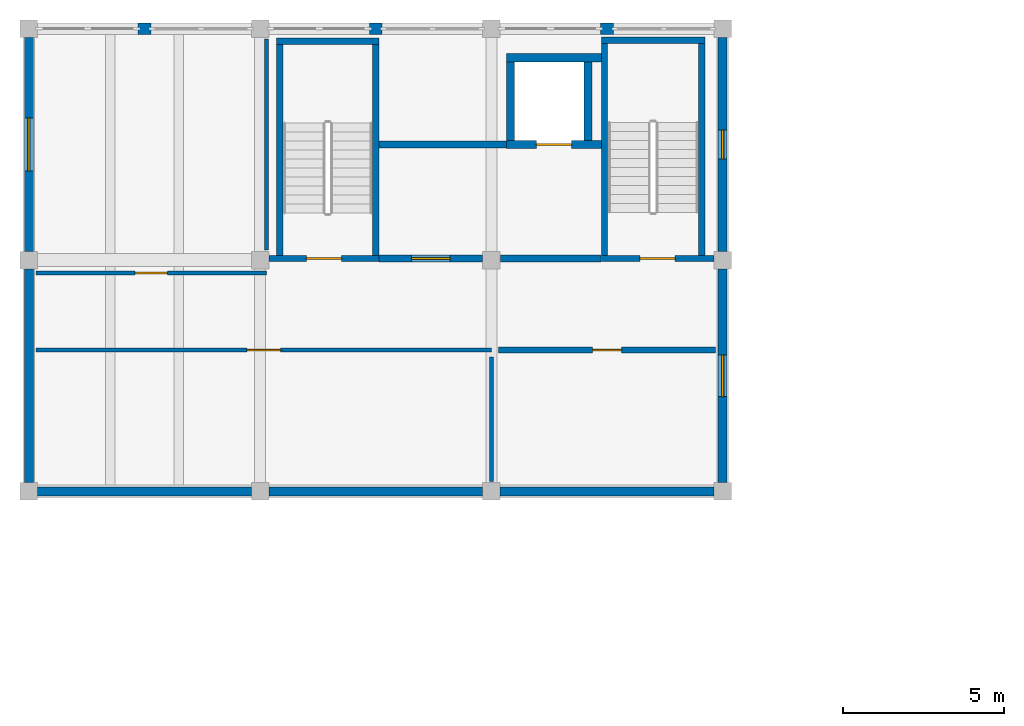
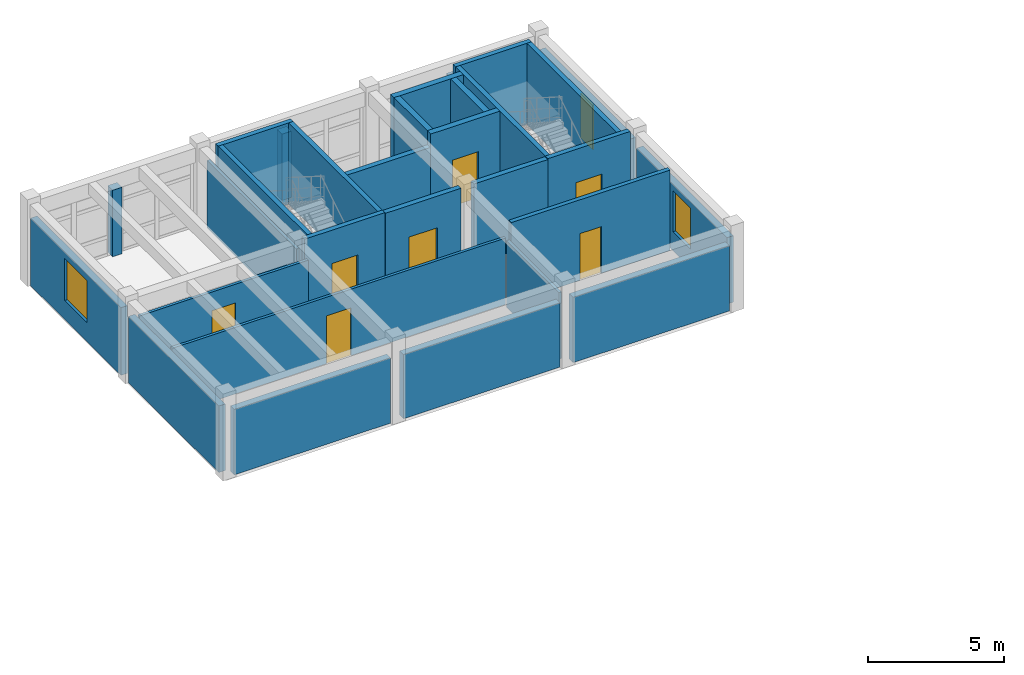
# One storey, part 18 of 22: 30 walls, 7 doors, 3 windows, 10 openings.
"""IFC4 building model written with IfcOpenShell, lengths in metres."""

from ifc_helpers import new_model, si_unit, direction, frame, frame_2d, origin, place, context, subcontext, project, spatial, rectangle, extrude, material, layer, layer_set, type_object, element, fill, save


model = new_model("IFC4")

# Units and contexts
model_context = context("Model", 3, precision=1e-05, world=origin(), true_north=direction((0.0, 1.0)))
body_context = subcontext(model_context, "Body", "Model", "MODEL_VIEW")
ifc_project = project(units=[si_unit("LENGTHUNIT", "METRE"), si_unit("AREAUNIT", "SQUARE_METRE"), si_unit("VOLUMEUNIT", "CUBIC_METRE"), si_unit("PLANEANGLEUNIT", "RADIAN"), si_unit("MASSUNIT", "GRAM", prefix="KILO")], contexts=[model_context])

# Site, building, storey
site_placement = place(None, origin())
site = spatial("IfcSite", under=ifc_project, at=site_placement, CompositionType="ELEMENT")
building_placement = place(site_placement, origin())
building = spatial("IfcBuilding", under=site, at=building_placement, Name="Koriwan Promenade Central Fire Station", CompositionType="ELEMENT")
storey_placement = place(building_placement, frame((0.0, 0.0, 17.39990234375)))
storey = spatial("IfcBuildingStorey", under=building, at=storey_placement, Name="L04", CompositionType="ELEMENT", Elevation=17.39990234375)

# Walls
ifc_material_1 = material(Name="Natural sillar sandstone ashlar", Category="masonry")
ifc_layer_1 = layer(ifc_material_1, 0.360107421875, Name="Natural sillar sandstone ashlar")
ifc_layer_set_1 = layer_set([ifc_layer_1], Name="Natural sillar sandstone ashlar")
wall_type_1 = type_object("IfcWallType", Name="ExtWall_SillarBase_360", PredefinedType="SOLIDWALL", material=ifc_layer_set_1)
for number, where, z_axis, x_axis, name in (
    (1, (97.39990234375, 115.199951171875, 0.0), (0.0, 0.0, 1.0), (-1.0, 0.0, 0.0), "V2 L04 sillar facade mullion pier 93"),
    (2, (90.199951171875, 115.199951171875, 0.0), (0.0, 0.0, 1.0), (-1.0, 0.0, 0.0), "V2 L04 sillar facade mullion pier 94"),
    (3, (83.0, 115.199951171875, 0.0), (0.0, 0.0, 1.0), (-1.0, 0.0, 0.0), "V2 L04 sillar facade mullion pier 95"),
):
    element("IfcWall", number, at=place(storey_placement, frame(where, z_axis=z_axis, x_axis=x_axis)), inside=storey, type_object=wall_type_1, Name=name, PredefinedType="SOLIDWALL", context=body_context, shape_type="SweptSolid", body=[
        extrude(rectangle(XDim=0.39990234375, YDim=0.360107421875, at=frame_2d((0.199951171875, 0.0))), origin(), (0.0, 0.0, 1.0), 2.989990234375),
    ])

# Wall, opening, window
ifc_material_2 = material(Name="Precast concrete C40/50", Category="concrete")
ifc_layer_2 = layer(ifc_material_2, 0.280029296875, Name="Precast concrete C40/50")
ifc_layer_set_2 = layer_set([ifc_layer_2], Name="Precast concrete C40/50")
wall_type_2 = type_object("IfcWallType", Name="ExtWall_Terracotta_280", PredefinedType="ELEMENTEDWALL", material=ifc_layer_set_2)
wall_1_placement = place(storey_placement, frame((100.800048828125, 101.074951171875, 0.0), z_axis=(0.0, 0.0, 1.0), x_axis=(0.0, 1.0, 0.0)))
wall_1 = element("IfcWall", 4, at=wall_1_placement, inside=storey, type_object=wall_type_2, Name="V2 L04 exterior wall 91", PredefinedType="ELEMENTEDWALL", context=body_context, shape_type="SweptSolid", body=[
    extrude(rectangle(XDim=6.650146484375, YDim=0.280029296875, at=frame_2d((3.3251953125, 0.0))), origin(), (0.0, 0.0, 1.0), 2.989990234375),
])
opening_1_placement = place(wall_1_placement, frame((2.675048828125, 0.0, 0.85009765625)))
opening_1 = element("IfcOpeningElement", 5, at=opening_1_placement, cuts=wall_1, Name="Opening W-10", PredefinedType="OPENING", context=body_context, shape_type="SweptSolid", body=[
    extrude(rectangle(XDim=1.300048828125, YDim=1.85009765625, at=frame_2d((0.64990234375, 0.925048828125))), frame((0.0, 0.15185546875, 0.0), z_axis=(0.0, -1.0, 0.0), x_axis=(1.0, 0.0, 0.0)), (0.0, 0.0, 1.0), 0.303955078125),
])
ifc_material_3 = material(Name="Solar-control low-E laminated double glazing", Category="glass")
window_type_1 = type_object("IfcWindowType", Name="Win_Drill_1300x1850", PartitioningType="SINGLE_PANEL", PredefinedType="WINDOW", material=ifc_material_3)
window_1_placement = place(opening_1_placement, origin())
window_1 = element("IfcWindow", 6, at=window_1_placement, inside=storey, type_object=window_type_1, Name="V2 L04 window 0040", OverallHeight=1.85009765625, OverallWidth=1.300048828125, PartitioningType="SINGLE_PANEL", PredefinedType="WINDOW", context=body_context, shape_type="SweptSolid", body=[
    extrude(rectangle(XDim=1.300048828125, YDim=1.85009765625, at=frame_2d((0.64990234375, 0.925048828125))), frame((0.0, 0.030029296875, 0.0), z_axis=(0.0, -1.0, 0.0), x_axis=(1.0, 0.0, 0.0)), (0.0, 0.0, 1.0), 0.06005859375),
])
fill(opening_1, window_1)

wall_2_placement = place(storey_placement, frame((100.800048828125, 108.27490234375, 0.0), z_axis=(0.0, 0.0, 1.0), x_axis=(0.0, 1.0, 0.0)))
wall_2 = element("IfcWall", 7, at=wall_2_placement, inside=storey, type_object=wall_type_2, Name="V2 L04 exterior wall 92", PredefinedType="ELEMENTEDWALL", context=body_context, shape_type="SweptSolid", body=[
    extrude(rectangle(XDim=6.650146484375, YDim=0.280029296875, at=frame_2d((3.3251953125, 0.0))), origin(), (0.0, 0.0, 1.0), 3.0400390625),
])
opening_2_placement = place(wall_2_placement, frame((2.875, 0.0, 0.800048828125)))
opening_2 = element("IfcOpeningElement", 8, at=opening_2_placement, cuts=wall_2, Name="Opening W-04", PredefinedType="OPENING", context=body_context, shape_type="SweptSolid", body=[
    extrude(rectangle(XDim=0.89990234375, YDim=2.0, at=frame_2d((0.449951171875, 1.0))), frame((0.0, 0.15185546875, 0.0), z_axis=(0.0, -1.0, 0.0), x_axis=(1.0, 0.0, 0.0)), (0.0, 0.0, 1.0), 0.303955078125),
])
window_type_2 = type_object("IfcWindowType", Name="Win_HQ_900x2000", PartitioningType="SINGLE_PANEL", PredefinedType="WINDOW", material=ifc_material_3)
window_2_placement = place(opening_2_placement, origin())
window_2 = element("IfcWindow", 9, at=window_2_placement, inside=storey, type_object=window_type_2, Name="V2 L04 window 0041", OverallHeight=2.0, OverallWidth=0.89990234375, PartitioningType="SINGLE_PANEL", PredefinedType="WINDOW", context=body_context, shape_type="SweptSolid", body=[
    extrude(rectangle(XDim=0.89990234375, YDim=2.0, at=frame_2d((0.449951171875, 1.0))), frame((0.0, 0.030029296875, 0.0), z_axis=(0.0, -1.0, 0.0), x_axis=(1.0, 0.0, 0.0)), (0.0, 0.0, 1.0), 0.06005859375),
])
fill(opening_2, window_2)

wall_3_placement = place(storey_placement, frame((79.199951171875, 114.925048828125, 0.0), z_axis=(0.0, 0.0, 1.0), x_axis=(0.0, -1.0, 0.0)))
wall_3 = element("IfcWall", 10, at=wall_3_placement, inside=storey, type_object=wall_type_2, Name="V2 L04 exterior wall 96", PredefinedType="ELEMENTEDWALL", context=body_context, shape_type="SweptSolid", body=[
    extrude(rectangle(XDim=6.650146484375, YDim=0.280029296875, at=frame_2d((3.3251953125, 0.0))), origin(), (0.0, 0.0, 1.0), 3.0400390625),
])
opening_3_placement = place(wall_3_placement, frame((2.5, 0.0, 0.85009765625)))
opening_3 = element("IfcOpeningElement", 11, at=opening_3_placement, cuts=wall_3, Name="Opening W-15", PredefinedType="OPENING", context=body_context, shape_type="SweptSolid", body=[
    extrude(rectangle(XDim=1.64990234375, YDim=1.89990234375, at=frame_2d((0.824951171875, 0.949951171875))), frame((0.0, 0.15185546875, 0.0), z_axis=(0.0, -1.0, 0.0), x_axis=(1.0, 0.0, 0.0)), (0.0, 0.0, 1.0), 0.303955078125),
])
window_type_3 = type_object("IfcWindowType", Name="Win_Office_1650x1900", PartitioningType="SINGLE_PANEL", PredefinedType="WINDOW", material=ifc_material_3)
window_3_placement = place(opening_3_placement, origin())
window_3 = element("IfcWindow", 12, at=window_3_placement, inside=storey, type_object=window_type_3, Name="V2 L04 window 0042", OverallHeight=1.89990234375, OverallWidth=1.64990234375, PartitioningType="SINGLE_PANEL", PredefinedType="WINDOW", context=body_context, shape_type="SweptSolid", body=[
    extrude(rectangle(XDim=1.64990234375, YDim=1.89990234375, at=frame_2d((0.824951171875, 0.949951171875))), frame((0.0, 0.030029296875, 0.0), z_axis=(0.0, -1.0, 0.0), x_axis=(1.0, 0.0, 0.0)), (0.0, 0.0, 1.0), 0.06005859375),
])
fill(opening_3, window_3)

# Walls
wall_4_placement = place(storey_placement, frame((79.199951171875, 107.72509765625, 0.0), z_axis=(0.0, 0.0, 1.0), x_axis=(0.0, -1.0, 0.0)))
element("IfcWall", 13, at=wall_4_placement, inside=storey, type_object=wall_type_2, Name="V2 L04 exterior wall 97", PredefinedType="ELEMENTEDWALL", context=body_context, shape_type="SweptSolid", body=[
    extrude(rectangle(XDim=6.650146484375, YDim=0.280029296875, at=frame_2d((3.3251953125, 0.0))), origin(), (0.0, 0.0, 1.0), 2.989990234375),
])
wall_5_placement = place(storey_placement, frame((79.47509765625, 100.800048828125, 0.0), z_axis=(0.0, 0.0, 1.0), x_axis=(1.0, 0.0, 0.0)))
element("IfcWall", 14, at=wall_5_placement, inside=storey, type_object=wall_type_2, Name="V2 L04 exterior wall 98", PredefinedType="ELEMENTEDWALL", context=body_context, shape_type="SweptSolid", body=[
    extrude(rectangle(XDim=6.64990234375, YDim=0.280029296875, at=frame_2d((3.324951171875, 0.0))), origin(), (0.0, 0.0, 1.0), 2.940185546875),
])
wall_6_placement = place(storey_placement, frame((86.675048828125, 100.800048828125, 0.0), z_axis=(0.0, 0.0, 1.0), x_axis=(1.0, 0.0, 0.0)))
element("IfcWall", 15, at=wall_6_placement, inside=storey, type_object=wall_type_2, Name="V2 L04 exterior wall 99", PredefinedType="ELEMENTEDWALL", context=body_context, shape_type="SweptSolid", body=[
    extrude(rectangle(XDim=6.64990234375, YDim=0.280029296875, at=frame_2d((3.324951171875, 0.0))), origin(), (0.0, 0.0, 1.0), 2.89013671875),
])
wall_7_placement = place(storey_placement, frame((93.875, 100.800048828125, 0.0), z_axis=(0.0, 0.0, 1.0), x_axis=(1.0, 0.0, 0.0)))
element("IfcWall", 16, at=wall_7_placement, inside=storey, type_object=wall_type_2, Name="V2 L04 exterior wall 100", PredefinedType="ELEMENTEDWALL", context=body_context, shape_type="SweptSolid", body=[
    extrude(rectangle(XDim=6.64990234375, YDim=0.280029296875, at=frame_2d((3.324951171875, 0.0))), origin(), (0.0, 0.0, 1.0), 2.940185546875),
])

# Wall, opening, door
ifc_material_4 = material(Name="Gypsum board acoustic stud partition", Category="gypsum")
ifc_layer_3 = layer(ifc_material_4, 0.1201171875, Name="Gypsum board acoustic stud partition")
ifc_layer_set_3 = layer_set([ifc_layer_3], Name="Gypsum board acoustic stud partition")
wall_type_3 = type_object("IfcWallType", Name="IntWall_Drywall_120", PredefinedType="PARTITIONING", material=ifc_layer_set_3)
wall_8_placement = place(storey_placement, frame((79.419921875, 107.60009765625, 0.0), z_axis=(0.0, 0.0, 1.0), x_axis=(1.0, 0.0, 0.0)))
wall_8 = element("IfcWall", 17, at=wall_8_placement, inside=storey, type_object=wall_type_3, Name="High-Rise Aerial Ladder Drill Room partition S", PredefinedType="PARTITIONING", context=body_context, shape_type="SweptSolid", body=[
    extrude(rectangle(XDim=7.18017578125, YDim=0.1201171875, at=frame_2d((3.590087890625, 0.0))), origin(), (0.0, 0.0, 1.0), 2.988037109375),
])
opening_4_placement = place(wall_8_placement, frame((3.090087890625, 0.0, 0.0)))
opening_4 = element("IfcOpeningElement", 18, at=opening_4_placement, cuts=wall_8, Name="Opening D-141", PredefinedType="OPENING", context=body_context, shape_type="SweptSolid", body=[
    extrude(rectangle(XDim=1.0, YDim=2.14990234375, at=frame_2d((0.5, 1.074951171875))), frame((0.0, 0.072021484375, 0.0), z_axis=(0.0, -1.0, 0.0), x_axis=(1.0, 0.0, 0.0)), (0.0, 0.0, 1.0), 0.14404296875),
])
ifc_material_5 = material(Name="Hardwood veneer solid-core timber", Category="wood")
door_type_1 = type_object("IfcDoorType", Name="RoomDoor_Office_1000x2150", OperationType="NOTDEFINED", PredefinedType="DOOR", material=ifc_material_5)
door_1_placement = place(opening_4_placement, origin())
door_1 = element("IfcDoor", 19, at=door_1_placement, inside=storey, type_object=door_type_1, Name="High-Rise Aerial Ladder Drill Room Door D-141", OperationType="SINGLE_SWING_LEFT", OverallHeight=2.14990234375, OverallWidth=1.0, PredefinedType="DOOR", context=body_context, shape_type="SweptSolid", body=[
    extrude(rectangle(XDim=1.0, YDim=2.14990234375, at=frame_2d((0.5, 1.074951171875))), frame((0.0, 0.02490234375, 0.0), z_axis=(0.0, -1.0, 0.0), x_axis=(1.0, 0.0, 0.0)), (0.0, 0.0, 1.0), 0.050048828125),
])
fill(opening_4, door_1)

# Wall
wall_9_placement = place(storey_placement, frame((86.60009765625, 108.31494140625, 0.0), z_axis=(0.0, 0.0, 1.0), x_axis=(0.0, 1.0, 0.0)))
element("IfcWall", 20, at=wall_9_placement, inside=storey, type_object=wall_type_3, Name="High-Rise Aerial Ladder Drill Room partition E", PredefinedType="PARTITIONING", context=body_context, shape_type="SweptSolid", body=[
    extrude(rectangle(XDim=6.570068359375, YDim=0.1201171875, at=frame_2d((3.28515625, 0.0))), origin(), (0.0, 0.0, 1.0), 3.0380859375),
])

# Wall, opening, door
wall_10_placement = place(storey_placement, frame((79.419921875, 105.199951171875, 0.0), z_axis=(0.0, 0.0, 1.0), x_axis=(1.0, 0.0, 0.0)))
wall_10 = element("IfcWall", 21, at=wall_10_placement, inside=storey, type_object=wall_type_3, Name="Rope Rescue Equipment Studio partition N", PredefinedType="PARTITIONING", context=body_context, shape_type="SweptSolid", body=[
    extrude(rectangle(XDim=14.18017578125, YDim=0.1201171875, at=frame_2d((7.090087890625, 0.0))), origin(), (0.0, 0.0, 1.0), 2.988037109375),
])
opening_5_placement = place(wall_10_placement, frame((6.56494140625, 0.0, 0.0)))
opening_5 = element("IfcOpeningElement", 22, at=opening_5_placement, cuts=wall_10, Name="Opening D-142", PredefinedType="OPENING", context=body_context, shape_type="SweptSolid", body=[
    extrude(rectangle(XDim=1.050048828125, YDim=2.14990234375, at=frame_2d((0.52490234375, 1.074951171875))), frame((0.0, 0.072021484375, 0.0), z_axis=(0.0, -1.0, 0.0), x_axis=(1.0, 0.0, 0.0)), (0.0, 0.0, 1.0), 0.14404296875),
])
door_type_2 = type_object("IfcDoorType", Name="RoomDoor_Class_1050x2150", OperationType="NOTDEFINED", PredefinedType="DOOR", material=ifc_material_5)
door_2_placement = place(opening_5_placement, origin())
door_2 = element("IfcDoor", 23, at=door_2_placement, inside=storey, type_object=door_type_2, Name="Rope Rescue Equipment Studio Door D-142", OperationType="SINGLE_SWING_RIGHT", OverallHeight=2.14990234375, OverallWidth=1.050048828125, PredefinedType="DOOR", context=body_context, shape_type="SweptSolid", body=[
    extrude(rectangle(XDim=1.050048828125, YDim=2.14990234375, at=frame_2d((0.52490234375, 1.074951171875))), frame((0.0, 0.02490234375, 0.0), z_axis=(0.0, -1.0, 0.0), x_axis=(1.0, 0.0, 0.0)), (0.0, 0.0, 1.0), 0.050048828125),
])
fill(opening_5, door_2)

# Wall
wall_11_placement = place(storey_placement, frame((93.60009765625, 101.114990234375, 0.0), z_axis=(0.0, 0.0, 1.0), x_axis=(0.0, 1.0, 0.0)))
element("IfcWall", 24, at=wall_11_placement, inside=storey, type_object=wall_type_3, Name="Rope Rescue Equipment Studio partition E", PredefinedType="PARTITIONING", context=body_context, shape_type="SweptSolid", body=[
    extrude(rectangle(XDim=3.864990234375, YDim=0.1201171875, at=frame_2d((1.9326171875, 0.0))), origin(), (0.0, 0.0, 1.0), 2.988037109375),
])

# Wall, opening, door
ifc_material_6 = material(Name="Concrete C35/45 compartment wall", Category="concrete")
ifc_layer_4 = layer(ifc_material_6, 0.219970703125, Name="Concrete C35/45 compartment wall")
ifc_layer_set_4 = layer_set([ifc_layer_4], Name="Concrete C35/45 compartment wall")
wall_type_4 = type_object("IfcWallType", Name="IntWall_Plant_220", PredefinedType="STANDARD", material=ifc_layer_set_4)
wall_12_placement = place(storey_placement, frame((90.10205078125, 108.050048828125, 0.0), z_axis=(0.0, 0.0, 1.0), x_axis=(1.0, 0.0, 0.0)))
wall_12 = element("IfcWall", 25, at=wall_12_placement, inside=storey, type_object=wall_type_4, Name="Drill Tower Firefighting Lift Lobby L04 partition S", PredefinedType="STANDARD", context=body_context, shape_type="SweptSolid", body=[
    extrude(rectangle(XDim=3.220947265625, YDim=0.219970703125, at=frame_2d((1.6103515625, 0.0))), origin(), (0.0, 0.0, 1.0), 3.6201171875),
])
opening_6_placement = place(wall_12_placement, frame((1.010498046875, 0.0, 0.0)))
opening_6 = element("IfcOpeningElement", 26, at=opening_6_placement, cuts=wall_12, Name="Opening D-140", PredefinedType="OPENING", context=body_context, shape_type="SweptSolid", body=[
    extrude(rectangle(XDim=1.199951171875, YDim=2.199951171875, at=frame_2d((0.60009765625, 1.10009765625))), frame((0.0, 0.1220703125, 0.0), z_axis=(0.0, -1.0, 0.0), x_axis=(1.0, 0.0, 0.0)), (0.0, 0.0, 1.0), 0.243896484375),
])
ifc_material_7 = material(Name="Painted galvanized fire-door steel", Category="steel")
door_type_3 = type_object("IfcDoorType", Name="FireDoor_Lobby_1200x2200", OperationType="NOTDEFINED", PredefinedType="DOOR", material=ifc_material_7)
door_3_placement = place(opening_6_placement, origin())
door_3 = element("IfcDoor", 27, at=door_3_placement, inside=storey, type_object=door_type_3, Name="Drill Tower Firefighting Lift Lobby L04 Door D-140", OperationType="SINGLE_SWING_RIGHT", OverallHeight=2.199951171875, OverallWidth=1.199951171875, PredefinedType="DOOR", context=body_context, shape_type="SweptSolid", body=[
    extrude(rectangle(XDim=1.199951171875, YDim=2.199951171875, at=frame_2d((0.60009765625, 1.10009765625))), frame((0.0, 0.02490234375, 0.0), z_axis=(0.0, -1.0, 0.0), x_axis=(1.0, 0.0, 0.0)), (0.0, 0.0, 1.0), 0.050048828125),
])
fill(opening_6, door_3)

# Walls
wall_13_placement = place(storey_placement, frame((93.876953125, 108.050048828125, 0.0), z_axis=(0.0, 0.0, 1.0), x_axis=(1.0, 0.0, 0.0)))
element("IfcWall", 28, at=wall_13_placement, inside=storey, type_object=wall_type_4, Name="Drill Tower Firefighting Lift Lobby L04 partition S", PredefinedType="STANDARD", context=body_context, shape_type="SweptSolid", body=[
    extrude(rectangle(XDim=3.14111328125, YDim=0.219970703125, at=frame_2d((1.570556640625, 0.0))), origin(), (0.0, 0.0, 1.0), 3.6201171875),
])
wall_14_placement = place(storey_placement, frame((90.10205078125, 111.60009765625, 0.0), z_axis=(0.0, 0.0, 1.0), x_axis=(1.0, 0.0, 0.0)))
element("IfcWall", 29, at=wall_14_placement, inside=storey, type_object=wall_type_4, Name="Drill Tower Firefighting Lift Lobby L04 partition N", PredefinedType="STANDARD", context=body_context, shape_type="SweptSolid", body=[
    extrude(rectangle(XDim=3.970947265625, YDim=0.219970703125, at=frame_2d((1.9853515625, 0.0))), origin(), (0.0, 0.0, 1.0), 3.0380859375),
])

# Wall, opening, door
ifc_material_8 = material(Name="Moisture-resistant sanitary chase wall", Category="gypsum")
ifc_layer_5 = layer(ifc_material_8, 0.179931640625, Name="Moisture-resistant sanitary chase wall")
ifc_layer_set_5 = layer_set([ifc_layer_5], Name="Moisture-resistant sanitary chase wall")
wall_type_5 = type_object("IfcWallType", Name="IntWall_Plumbing_180", PredefinedType="PLUMBINGWALL", material=ifc_layer_set_5)
wall_15_placement = place(storey_placement, frame((93.820068359375, 105.199951171875, 0.0), z_axis=(0.0, 0.0, 1.0), x_axis=(1.0, 0.0, 0.0)))
wall_15 = element("IfcWall", 30, at=wall_15_placement, inside=storey, type_object=wall_type_5, Name="Drill L04 Accessible WC partition N", PredefinedType="PLUMBINGWALL", context=body_context, shape_type="SweptSolid", body=[
    extrude(rectangle(XDim=6.760009765625, YDim=0.179931640625, at=frame_2d((3.3798828125, 0.0))), origin(), (0.0, 0.0, 1.0), 3.6201171875),
])
opening_7_placement = place(wall_15_placement, frame((2.929931640625, 0.0, 0.0)))
opening_7 = element("IfcOpeningElement", 31, at=opening_7_placement, cuts=wall_15, Name="Opening D-143", PredefinedType="OPENING", context=body_context, shape_type="SweptSolid", body=[
    extrude(rectangle(XDim=0.89990234375, YDim=2.10009765625, at=frame_2d((0.449951171875, 1.050048828125))), frame((0.0, 0.10205078125, 0.0), z_axis=(0.0, -1.0, 0.0), x_axis=(1.0, 0.0, 0.0)), (0.0, 0.0, 1.0), 0.203857421875),
])
ifc_material_9 = material(Name="High-pressure laminate moisture-resistant core", Category="wood")
door_type_4 = type_object("IfcDoorType", Name="RoomDoor_WC_900x2100", OperationType="NOTDEFINED", PredefinedType="DOOR", material=ifc_material_9)
door_4_placement = place(opening_7_placement, origin())
door_4 = element("IfcDoor", 32, at=door_4_placement, inside=storey, type_object=door_type_4, Name="Drill L04 Accessible WC Door D-143", OperationType="SINGLE_SWING_LEFT", OverallHeight=2.10009765625, OverallWidth=0.89990234375, PredefinedType="DOOR", context=body_context, shape_type="SweptSolid", body=[
    extrude(rectangle(XDim=0.89990234375, YDim=2.10009765625, at=frame_2d((0.449951171875, 1.050048828125))), frame((0.0, 0.02490234375, 0.0), z_axis=(0.0, -1.0, 0.0), x_axis=(1.0, 0.0, 0.0)), (0.0, 0.0, 1.0), 0.050048828125),
])
fill(opening_7, door_4)

ifc_material_10 = material(Name="Concrete C40/50", Category="concrete")
ifc_layer_6 = layer(ifc_material_10, 0.199951171875, Name="Concrete C40/50")
ifc_layer_set_6 = layer_set([ifc_layer_6], Name="Concrete C40/50")
wall_type_6 = type_object("IfcWallType", Name="ShearWall_200", PredefinedType="SHEAR", material=ifc_layer_set_6)
wall_16_placement = place(storey_placement, frame((97.02001953125, 108.050048828125, 0.0), z_axis=(0.0, 0.0, 1.0), x_axis=(1.0, 0.0, 0.0)))
wall_16 = element("IfcWall", 33, at=wall_16_placement, inside=storey, type_object=wall_type_6, Name="ST04 L04 structural stair wall S", PredefinedType="SHEAR", context=body_context, shape_type="SweptSolid", body=[
    extrude(rectangle(XDim=3.5048828125, YDim=0.199951171875, at=frame_2d((1.75244140625, 0.0))), origin(), (0.0, 0.0, 1.0), 3.650146484375),
])
opening_8_placement = place(wall_16_placement, frame((1.202392578125, 0.0, 0.0)))
opening_8 = element("IfcOpeningElement", 34, at=opening_8_placement, cuts=wall_16, Name="Opening SD-012", PredefinedType="OPENING", context=body_context, shape_type="SweptSolid", body=[
    extrude(rectangle(XDim=1.10009765625, YDim=2.14990234375, at=frame_2d((0.550048828125, 1.074951171875))), frame((0.0, 0.11181640625, 0.0), z_axis=(0.0, -1.0, 0.0), x_axis=(1.0, 0.0, 0.0)), (0.0, 0.0, 1.0), 0.223876953125),
])
door_type_5 = type_object("IfcDoorType", Name="FireDoor_Stair_1100x2150", OperationType="NOTDEFINED", PredefinedType="DOOR", material=ifc_material_7)
door_5_placement = place(opening_8_placement, origin())
door_5 = element("IfcDoor", 35, at=door_5_placement, inside=storey, type_object=door_type_5, Name="Protected Stair ST04 Fire Door SD-012", OperationType="SINGLE_SWING_LEFT", OverallHeight=2.14990234375, OverallWidth=1.10009765625, PredefinedType="DOOR", context=body_context, shape_type="SweptSolid", body=[
    extrude(rectangle(XDim=1.10009765625, YDim=2.14990234375, at=frame_2d((0.550048828125, 1.074951171875))), frame((0.0, 0.02490234375, 0.0), z_axis=(0.0, -1.0, 0.0), x_axis=(1.0, 0.0, 0.0)), (0.0, 0.0, 1.0), 0.050048828125),
])
fill(opening_8, door_5)

# Walls
wall_17_placement = place(storey_placement, frame((97.02001953125, 114.85009765625, 0.0), z_axis=(0.0, 0.0, 1.0), x_axis=(1.0, 0.0, 0.0)))
element("IfcWall", 36, at=wall_17_placement, inside=storey, type_object=wall_type_6, Name="ST04 L04 structural stair wall N", PredefinedType="SHEAR", context=body_context, shape_type="SweptSolid", body=[
    extrude(rectangle(XDim=3.22998046875, YDim=0.199951171875, at=frame_2d((1.614990234375, 0.0))), origin(), (0.0, 0.0, 1.0), 3.650146484375),
])
for number, where, z_axis, x_axis, name in (
    (37, (97.1201171875, 108.14990234375, 0.0), (0.0, 0.0, 1.0), (0.0, 1.0, 0.0), "ST04 L04 structural stair wall W"),
    (38, (100.14990234375, 108.14990234375, 0.0), (0.0, 0.0, 1.0), (0.0, 1.0, 0.0), "ST04 L04 structural stair wall E"),
):
    element("IfcWall", number, at=place(storey_placement, frame(where, z_axis=z_axis, x_axis=x_axis)), inside=storey, type_object=wall_type_6, Name=name, PredefinedType="SHEAR", context=body_context, shape_type="SweptSolid", body=[
        extrude(rectangle(XDim=6.60009765625, YDim=0.199951171875, at=frame_2d((3.300048828125, 0.0))), origin(), (0.0, 0.0, 1.0), 3.650146484375),
    ])

# Wall, opening, door
wall_18_placement = place(storey_placement, frame((86.675048828125, 108.050048828125, 0.0), z_axis=(0.0, 0.0, 1.0), x_axis=(1.0, 0.0, 0.0)))
wall_18 = element("IfcWall", 39, at=wall_18_placement, inside=storey, type_object=wall_type_6, Name="ST09 L04 structural stair wall S", PredefinedType="SHEAR", context=body_context, shape_type="SweptSolid", body=[
    extrude(rectangle(XDim=3.425048828125, YDim=0.199951171875, at=frame_2d((1.71240234375, 0.0))), origin(), (0.0, 0.0, 1.0), 3.650146484375),
])
opening_9_placement = place(wall_18_placement, frame((1.16259765625, 0.0, 0.0)))
opening_9 = element("IfcOpeningElement", 40, at=opening_9_placement, cuts=wall_18, Name="Opening SD-018", PredefinedType="OPENING", context=body_context, shape_type="SweptSolid", body=[
    extrude(rectangle(XDim=1.10009765625, YDim=2.14990234375, at=frame_2d((0.550048828125, 1.074951171875))), frame((0.0, 0.11181640625, 0.0), z_axis=(0.0, -1.0, 0.0), x_axis=(1.0, 0.0, 0.0)), (0.0, 0.0, 1.0), 0.223876953125),
])
door_6_placement = place(opening_9_placement, origin())
door_6 = element("IfcDoor", 41, at=door_6_placement, inside=storey, type_object=door_type_5, Name="Protected Stair ST09 Fire Door SD-018", OperationType="SINGLE_SWING_LEFT", OverallHeight=2.14990234375, OverallWidth=1.10009765625, PredefinedType="DOOR", context=body_context, shape_type="SweptSolid", body=[
    extrude(rectangle(XDim=1.10009765625, YDim=2.14990234375, at=frame_2d((0.550048828125, 1.074951171875))), frame((0.0, 0.02490234375, 0.0), z_axis=(0.0, -1.0, 0.0), x_axis=(1.0, 0.0, 0.0)), (0.0, 0.0, 1.0), 0.050048828125),
])
fill(opening_9, door_6)

# Walls
wall_19_placement = place(storey_placement, frame((86.909912109375, 114.81005859375, 0.0), z_axis=(0.0, 0.0, 1.0), x_axis=(1.0, 0.0, 0.0)))
element("IfcWall", 42, at=wall_19_placement, inside=storey, type_object=wall_type_6, Name="ST09 L04 structural stair wall N", PredefinedType="SHEAR", context=body_context, shape_type="SweptSolid", body=[
    extrude(rectangle(XDim=3.190185546875, YDim=0.199951171875, at=frame_2d((1.59521484375, 0.0))), origin(), (0.0, 0.0, 1.0), 3.650146484375),
])
for number, where, z_axis, x_axis, name in (
    (43, (87.010009765625, 108.14990234375, 0.0), (0.0, 0.0, 1.0), (0.0, 1.0, 0.0), "ST09 L04 structural stair wall W"),
    (44, (90.0, 108.14990234375, 0.0), (0.0, 0.0, 1.0), (0.0, 1.0, 0.0), "ST09 L04 structural stair wall E"),
):
    element("IfcWall", number, at=place(storey_placement, frame(where, z_axis=z_axis, x_axis=x_axis)), inside=storey, type_object=wall_type_6, Name=name, PredefinedType="SHEAR", context=body_context, shape_type="SweptSolid", body=[
        extrude(rectangle(XDim=6.56005859375, YDim=0.199951171875, at=frame_2d((3.280029296875, 0.0))), origin(), (0.0, 0.0, 1.0), 3.650146484375),
    ])

# Wall, opening, door
ifc_layer_7 = layer(ifc_material_10, 0.25, Name="Concrete C40/50")
ifc_layer_set_7 = layer_set([ifc_layer_7], Name="Concrete C40/50")
wall_type_7 = type_object("IfcWallType", Name="ShearWall_250", PredefinedType="SHEAR", material=ifc_layer_set_7)
wall_20_placement = place(storey_placement, frame((94.074951171875, 111.60009765625, 0.0), z_axis=(0.0, 0.0, 1.0), x_axis=(1.0, 0.0, 0.0)))
wall_20 = element("IfcWall", 45, at=wall_20_placement, inside=storey, type_object=wall_type_7, Name="LF02 shaft wall S (L04)", PredefinedType="SHEAR", context=body_context, shape_type="SweptSolid", body=[
    extrude(rectangle(XDim=2.945068359375, YDim=0.25, at=frame_2d((1.47265625, 0.0))), origin(), (0.0, 0.0, 1.0), 3.650146484375),
])
opening_10_placement = place(wall_20_placement, frame((0.922607421875, 0.0, 0.0)))
opening_10 = element("IfcOpeningElement", 46, at=opening_10_placement, cuts=wall_20, Name="Opening LD-LF02-L04", PredefinedType="OPENING", context=body_context, shape_type="SweptSolid", body=[
    extrude(rectangle(XDim=1.10009765625, YDim=2.14990234375, at=frame_2d((0.550048828125, 1.074951171875))), frame((0.0, 0.136962890625, 0.0), z_axis=(0.0, -1.0, 0.0), x_axis=(1.0, 0.0, 0.0)), (0.0, 0.0, 1.0), 0.27392578125),
])
ifc_material_11 = material(Name="Stainless steel 316", Category="steel")
door_type_6 = type_object("IfcDoorType", Name="LiftDoor_Fire_1100x2150", OperationType="SLIDING_TO_LEFT", PredefinedType="DOOR", material=ifc_material_11)
door_7_placement = place(opening_10_placement, origin())
door_7 = element("IfcDoor", 47, at=door_7_placement, inside=storey, type_object=door_type_6, Name="Lift LF02 Sliding Landing Door LD-LF02-L04", OperationType="SLIDING_TO_LEFT", OverallHeight=2.14990234375, OverallWidth=1.10009765625, PredefinedType="DOOR", context=body_context, shape_type="SweptSolid", body=[
    extrude(rectangle(XDim=1.10009765625, YDim=2.14990234375, at=frame_2d((0.550048828125, 1.074951171875))), frame((0.0, 0.02490234375, 0.0), z_axis=(0.0, -1.0, 0.0), x_axis=(1.0, 0.0, 0.0)), (0.0, 0.0, 1.0), 0.050048828125),
])
fill(opening_10, door_7)

# Walls
wall_21_placement = place(storey_placement, frame((94.074951171875, 114.300048828125, 0.0), z_axis=(0.0, 0.0, 1.0), x_axis=(1.0, 0.0, 0.0)))
element("IfcWall", 48, at=wall_21_placement, inside=storey, type_object=wall_type_7, Name="LF02 shaft wall N (L04)", PredefinedType="SHEAR", context=body_context, shape_type="SweptSolid", body=[
    extrude(rectangle(XDim=2.945068359375, YDim=0.25, at=frame_2d((1.47265625, 0.0))), origin(), (0.0, 0.0, 1.0), 3.650146484375),
])
for number, where, z_axis, x_axis, name in (
    (49, (94.199951171875, 111.72509765625, 0.0), (0.0, 0.0, 1.0), (0.0, 1.0, 0.0), "LF02 shaft wall W (L04)"),
    (50, (96.60009765625, 111.72509765625, 0.0), (0.0, 0.0, 1.0), (0.0, 1.0, 0.0), "LF02 shaft wall E (L04)"),
):
    element("IfcWall", number, at=place(storey_placement, frame(where, z_axis=z_axis, x_axis=x_axis)), inside=storey, type_object=wall_type_7, Name=name, PredefinedType="SHEAR", context=body_context, shape_type="SweptSolid", body=[
        extrude(rectangle(XDim=2.449951171875, YDim=0.25, at=frame_2d((1.22509765625, 0.0))), origin(), (0.0, 0.0, 1.0), 3.650146484375),
    ])

save(model, "model.ifc")
